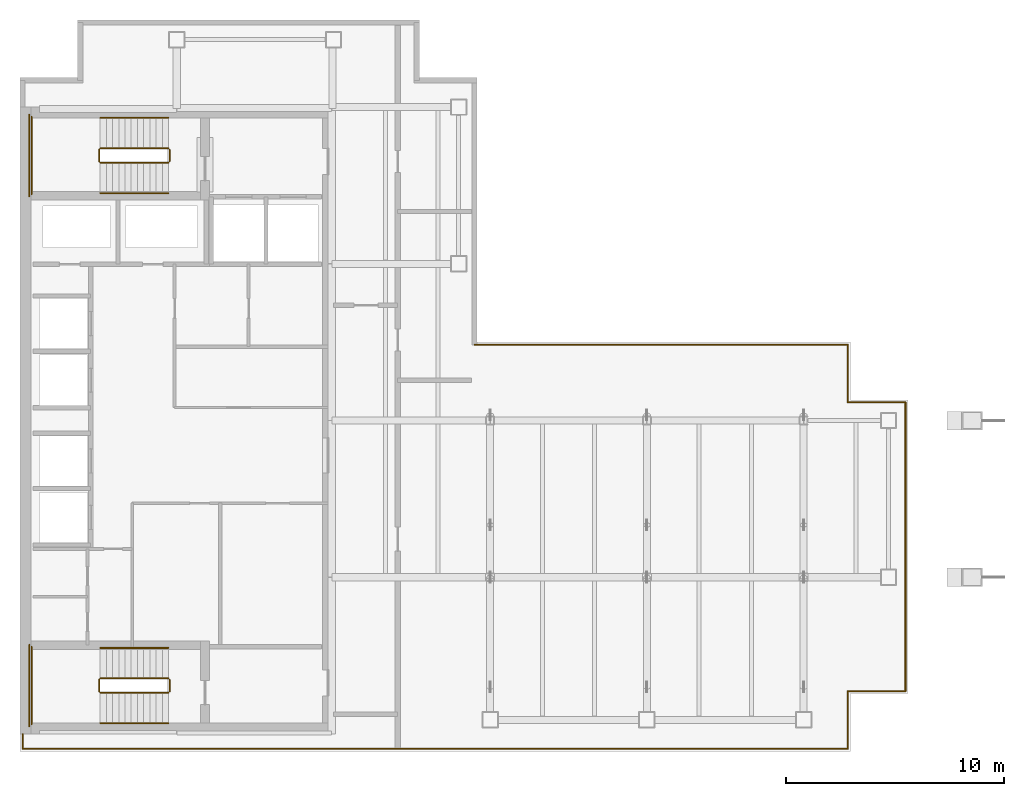
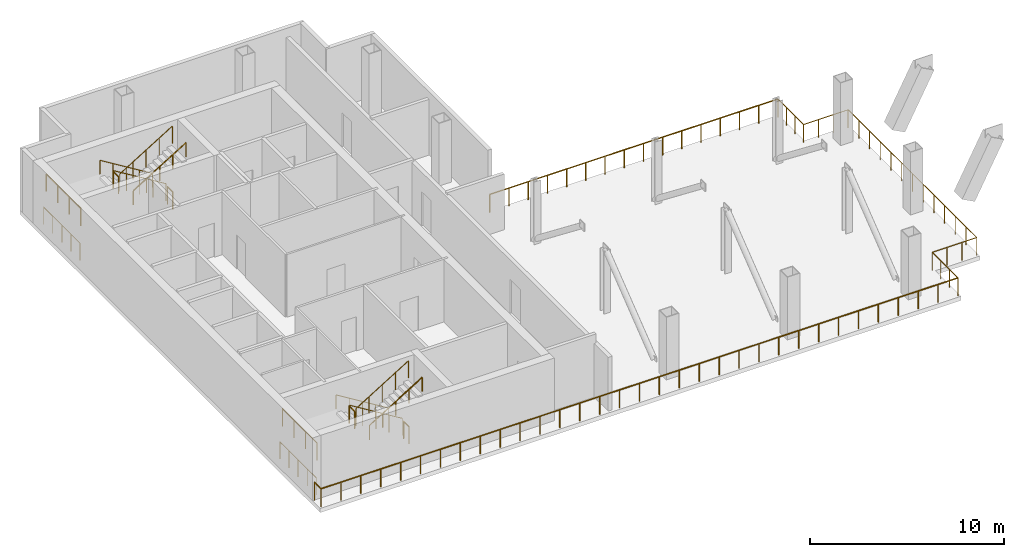
# One storey, part 5 of 5: 24 railings.
"""IFC4 building model written with IfcOpenShell, lengths in metres."""

from ifc_helpers import new_model, si_unit, direction, frame, origin, origin_2d, place, context, subcontext, project, spatial, circle, extrude, material, type_object, element, save


model = new_model("IFC4")

# Units and contexts
model_context = context("Model", 3, precision=1e-05, world=origin(), true_north=direction((0.0, 1.0)))
body_context = subcontext(model_context, "Body", "Model", "MODEL_VIEW")
ifc_project = project(units=[si_unit("LENGTHUNIT", "METRE"), si_unit("AREAUNIT", "SQUARE_METRE"), si_unit("VOLUMEUNIT", "CUBIC_METRE"), si_unit("PLANEANGLEUNIT", "RADIAN"), si_unit("MASSUNIT", "GRAM", prefix="KILO")], contexts=[model_context])

# Site, building, storey
site_placement = place(None, origin())
site = spatial("IfcSite", under=ifc_project, at=site_placement, CompositionType="ELEMENT")
building_placement = place(site_placement, origin())
building = spatial("IfcBuilding", under=site, at=building_placement, Name="Cobrela Telecom Tower", CompositionType="ELEMENT")
storey_placement = place(building_placement, frame((0.0, 0.0, 236.949951171875)))
storey = spatial("IfcBuildingStorey", under=building, at=storey_placement, Name="L61", CompositionType="ELEMENT", Elevation=236.949951171875)

# Railings
ifc_material_1 = material(Name="Anodized Bronze Aluminium 6063-T6", Category="aluminium")
railing_type_1 = type_object("IfcRailingType", Name="RAIL-BAL-1150", PredefinedType="BALUSTRADE", material=ifc_material_1)
railing_1_placement = place(storey_placement, frame((0.1201171875, 6.52001953125, 0.0)))
element("IfcRailing", 1, at=railing_1_placement, inside=storey, type_object=railing_type_1, Name="L61 Wind Turbine Slot Perimeter Balustrade 01", PredefinedType="BALUSTRADE", context=body_context, shape_type="SweptSolid", body=[
    extrude(circle(Radius=0.02392578125, at=origin_2d()), frame((0.0, 0.0, 1.1259765625), z_axis=(0.0, 1.0, 0.0), x_axis=(-1.0, 0.0, 0.0)), (0.0, 0.0, 1.0), 0.679931640625),
    extrude(circle(Radius=0.02099609375, at=origin_2d()), origin(), (0.0, 0.0, 1.0), 1.101806640625),
    extrude(circle(Radius=0.02099609375, at=origin_2d()), frame((0.0, 0.679931640625, 0.0)), (0.0, 0.0, 1.0), 1.101806640625),
])
railing_2_placement = place(storey_placement, frame((20.8798828125, 25.080078125, 0.0)))
element("IfcRailing", 2, at=railing_2_placement, inside=storey, type_object=railing_type_1, Name="L61 Wind Turbine Slot Perimeter Balustrade 09", PredefinedType="BALUSTRADE", context=body_context, shape_type="SweptSolid", body=[
    extrude(circle(Radius=0.02392578125, at=origin_2d()), frame((0.0, 0.0, 1.1259765625), z_axis=(1.0, 0.0, 0.0), x_axis=(0.0, 1.0, 0.0)), (0.0, 0.0, 1.0), 17.150146484375),
    extrude(circle(Radius=0.02099609375, at=origin_2d()), origin(), (0.0, 0.0, 1.0), 1.101806640625),
    extrude(circle(Radius=0.02099609375, at=origin_2d()), frame((1.143310546875, 0.0, 0.0)), (0.0, 0.0, 1.0), 1.101806640625),
    extrude(circle(Radius=0.02099609375, at=origin_2d()), frame((2.28662109375, 0.0, 0.0)), (0.0, 0.0, 1.0), 1.101806640625),
    extrude(circle(Radius=0.02099609375, at=origin_2d()), frame((3.429931640625, 0.0, 0.0)), (0.0, 0.0, 1.0), 1.101806640625),
    extrude(circle(Radius=0.02099609375, at=origin_2d()), frame((4.573486328125, 0.0, 0.0)), (0.0, 0.0, 1.0), 1.101806640625),
    extrude(circle(Radius=0.02099609375, at=origin_2d()), frame((5.716796875, 0.0, 0.0)), (0.0, 0.0, 1.0), 1.101806640625),
    extrude(circle(Radius=0.02099609375, at=origin_2d()), frame((6.860107421875, 0.0, 0.0)), (0.0, 0.0, 1.0), 1.101806640625),
    extrude(circle(Radius=0.02099609375, at=origin_2d()), frame((8.00341796875, 0.0, 0.0)), (0.0, 0.0, 1.0), 1.101806640625),
    extrude(circle(Radius=0.02099609375, at=origin_2d()), frame((9.146728515625, 0.0, 0.0)), (0.0, 0.0, 1.0), 1.101806640625),
    extrude(circle(Radius=0.02099609375, at=origin_2d()), frame((10.2900390625, 0.0, 0.0)), (0.0, 0.0, 1.0), 1.101806640625),
    extrude(circle(Radius=0.02099609375, at=origin_2d()), frame((11.433349609375, 0.0, 0.0)), (0.0, 0.0, 1.0), 1.101806640625),
    extrude(circle(Radius=0.02099609375, at=origin_2d()), frame((12.57666015625, 0.0, 0.0)), (0.0, 0.0, 1.0), 1.101806640625),
    extrude(circle(Radius=0.02099609375, at=origin_2d()), frame((13.72021484375, 0.0, 0.0)), (0.0, 0.0, 1.0), 1.101806640625),
    extrude(circle(Radius=0.02099609375, at=origin_2d()), frame((14.863525390625, 0.0, 0.0)), (0.0, 0.0, 1.0), 1.101806640625),
    extrude(circle(Radius=0.02099609375, at=origin_2d()), frame((16.0068359375, 0.0, 0.0)), (0.0, 0.0, 1.0), 1.101806640625),
    extrude(circle(Radius=0.02099609375, at=origin_2d()), frame((17.150146484375, 0.0, 0.0)), (0.0, 0.0, 1.0), 1.101806640625),
])
railing_3_placement = place(storey_placement, frame((38.030029296875, 25.080078125, 0.0)))
element("IfcRailing", 3, at=railing_3_placement, inside=storey, type_object=railing_type_1, Name="L61 Wind Turbine Slot Perimeter Balustrade 10", PredefinedType="BALUSTRADE", context=body_context, shape_type="SweptSolid", body=[
    extrude(circle(Radius=0.02392578125, at=origin_2d()), frame((0.0, 0.0, 1.1259765625), z_axis=(0.0, -1.0, 0.0), x_axis=(1.0, 0.0, 0.0)), (0.0, 0.0, 1.0), 2.650146484375),
    extrude(circle(Radius=0.02099609375, at=origin_2d()), origin(), (0.0, 0.0, 1.0), 1.101806640625),
    extrude(circle(Radius=0.02099609375, at=origin_2d()), frame((0.0, -0.88330078125, 0.0)), (0.0, 0.0, 1.0), 1.101806640625),
    extrude(circle(Radius=0.02099609375, at=origin_2d()), frame((0.0, -1.766845703125, 0.0)), (0.0, 0.0, 1.0), 1.101806640625),
    extrude(circle(Radius=0.02099609375, at=origin_2d()), frame((0.0, -2.650146484375, 0.0)), (0.0, 0.0, 1.0), 1.101806640625),
])
railing_4_placement = place(storey_placement, frame((38.030029296875, 22.429931640625, 0.0)))
element("IfcRailing", 4, at=railing_4_placement, inside=storey, type_object=railing_type_1, Name="L61 Wind Turbine Slot Perimeter Balustrade 11", PredefinedType="BALUSTRADE", context=body_context, shape_type="SweptSolid", body=[
    extrude(circle(Radius=0.02392578125, at=origin_2d()), frame((0.0, 0.0, 1.1259765625), z_axis=(1.0, 0.0, 0.0), x_axis=(0.0, 1.0, 0.0)), (0.0, 0.0, 1.0), 2.64990234375),
    extrude(circle(Radius=0.02099609375, at=origin_2d()), origin(), (0.0, 0.0, 1.0), 1.101806640625),
    extrude(circle(Radius=0.02099609375, at=origin_2d()), frame((0.88330078125, 0.0, 0.0)), (0.0, 0.0, 1.0), 1.101806640625),
    extrude(circle(Radius=0.02099609375, at=origin_2d()), frame((1.7666015625, 0.0, 0.0)), (0.0, 0.0, 1.0), 1.101806640625),
    extrude(circle(Radius=0.02099609375, at=origin_2d()), frame((2.64990234375, 0.0, 0.0)), (0.0, 0.0, 1.0), 1.101806640625),
])
railing_5_placement = place(storey_placement, frame((40.679931640625, 22.429931640625, 0.0)))
element("IfcRailing", 5, at=railing_5_placement, inside=storey, type_object=railing_type_1, Name="L61 Wind Turbine Slot Perimeter Balustrade 12", PredefinedType="BALUSTRADE", context=body_context, shape_type="SweptSolid", body=[
    extrude(circle(Radius=0.02392578125, at=origin_2d()), frame((0.0, 0.0, 1.1259765625), z_axis=(0.0, -1.0, 0.0), x_axis=(1.0, 0.0, 0.0)), (0.0, 0.0, 1.0), 13.260009765625),
    extrude(circle(Radius=0.02099609375, at=origin_2d()), origin(), (0.0, 0.0, 1.0), 1.101806640625),
    extrude(circle(Radius=0.02099609375, at=origin_2d()), frame((0.0, -1.10498046875, 0.0)), (0.0, 0.0, 1.0), 1.101806640625),
    extrude(circle(Radius=0.02099609375, at=origin_2d()), frame((0.0, -2.2099609375, 0.0)), (0.0, 0.0, 1.0), 1.101806640625),
    extrude(circle(Radius=0.02099609375, at=origin_2d()), frame((0.0, -3.31494140625, 0.0)), (0.0, 0.0, 1.0), 1.101806640625),
    extrude(circle(Radius=0.02099609375, at=origin_2d()), frame((0.0, -4.419921875, 0.0)), (0.0, 0.0, 1.0), 1.101806640625),
    extrude(circle(Radius=0.02099609375, at=origin_2d()), frame((0.0, -5.52490234375, 0.0)), (0.0, 0.0, 1.0), 1.101806640625),
    extrude(circle(Radius=0.02099609375, at=origin_2d()), frame((0.0, -6.6298828125, 0.0)), (0.0, 0.0, 1.0), 1.101806640625),
    extrude(circle(Radius=0.02099609375, at=origin_2d()), frame((0.0, -7.735107421875, 0.0)), (0.0, 0.0, 1.0), 1.101806640625),
    extrude(circle(Radius=0.02099609375, at=origin_2d()), frame((0.0, -8.840087890625, 0.0)), (0.0, 0.0, 1.0), 1.101806640625),
    extrude(circle(Radius=0.02099609375, at=origin_2d()), frame((0.0, -9.945068359375, 0.0)), (0.0, 0.0, 1.0), 1.101806640625),
    extrude(circle(Radius=0.02099609375, at=origin_2d()), frame((0.0, -11.050048828125, 0.0)), (0.0, 0.0, 1.0), 1.101806640625),
    extrude(circle(Radius=0.02099609375, at=origin_2d()), frame((0.0, -12.155029296875, 0.0)), (0.0, 0.0, 1.0), 1.101806640625),
    extrude(circle(Radius=0.02099609375, at=origin_2d()), frame((0.0, -13.260009765625, 0.0)), (0.0, 0.0, 1.0), 1.101806640625),
])
railing_6_placement = place(storey_placement, frame((40.679931640625, 9.169921875, 0.0)))
element("IfcRailing", 6, at=railing_6_placement, inside=storey, type_object=railing_type_1, Name="L61 Wind Turbine Slot Perimeter Balustrade 13", PredefinedType="BALUSTRADE", context=body_context, shape_type="SweptSolid", body=[
    extrude(circle(Radius=0.02392578125, at=origin_2d()), frame((0.0, 0.0, 1.1259765625), z_axis=(-1.0, 0.0, 0.0), x_axis=(0.0, -1.0, 0.0)), (0.0, 0.0, 1.0), 2.64990234375),
    extrude(circle(Radius=0.02099609375, at=origin_2d()), origin(), (0.0, 0.0, 1.0), 1.101806640625),
    extrude(circle(Radius=0.02099609375, at=origin_2d()), frame((-0.88330078125, 0.0, 0.0)), (0.0, 0.0, 1.0), 1.101806640625),
    extrude(circle(Radius=0.02099609375, at=origin_2d()), frame((-1.7666015625, 0.0, 0.0)), (0.0, 0.0, 1.0), 1.101806640625),
    extrude(circle(Radius=0.02099609375, at=origin_2d()), frame((-2.64990234375, 0.0, 0.0)), (0.0, 0.0, 1.0), 1.101806640625),
])
railing_7_placement = place(storey_placement, frame((38.030029296875, 9.169921875, 0.0)))
element("IfcRailing", 7, at=railing_7_placement, inside=storey, type_object=railing_type_1, Name="L61 Wind Turbine Slot Perimeter Balustrade 14", PredefinedType="BALUSTRADE", context=body_context, shape_type="SweptSolid", body=[
    extrude(circle(Radius=0.02392578125, at=origin_2d()), frame((0.0, 0.0, 1.1259765625), z_axis=(0.0, -1.0, 0.0), x_axis=(1.0, 0.0, 0.0)), (0.0, 0.0, 1.0), 2.64990234375),
    extrude(circle(Radius=0.02099609375, at=origin_2d()), origin(), (0.0, 0.0, 1.0), 1.101806640625),
    extrude(circle(Radius=0.02099609375, at=origin_2d()), frame((0.0, -0.88330078125, 0.0)), (0.0, 0.0, 1.0), 1.101806640625),
    extrude(circle(Radius=0.02099609375, at=origin_2d()), frame((0.0, -1.7666015625, 0.0)), (0.0, 0.0, 1.0), 1.101806640625),
    extrude(circle(Radius=0.02099609375, at=origin_2d()), frame((0.0, -2.64990234375, 0.0)), (0.0, 0.0, 1.0), 1.101806640625),
])
railing_8_placement = place(storey_placement, frame((38.030029296875, 6.52001953125, 0.0)))
element("IfcRailing", 8, at=railing_8_placement, inside=storey, type_object=railing_type_1, Name="L61 Wind Turbine Slot Perimeter Balustrade 15", PredefinedType="BALUSTRADE", context=body_context, shape_type="SweptSolid", body=[
    extrude(circle(Radius=0.02392578125, at=origin_2d()), frame((0.0, 0.0, 1.1259765625), z_axis=(-1.0, 0.0, 0.0), x_axis=(0.0, -1.0, 0.0)), (0.0, 0.0, 1.0), 37.909912109375),
    extrude(circle(Radius=0.02099609375, at=origin_2d()), origin(), (0.0, 0.0, 1.0), 1.101806640625),
    extrude(circle(Radius=0.02099609375, at=origin_2d()), frame((-1.1845703125, 0.0, 0.0)), (0.0, 0.0, 1.0), 1.101806640625),
    extrude(circle(Radius=0.02099609375, at=origin_2d()), frame((-2.369384765625, 0.0, 0.0)), (0.0, 0.0, 1.0), 1.101806640625),
    extrude(circle(Radius=0.02099609375, at=origin_2d()), frame((-3.553955078125, 0.0, 0.0)), (0.0, 0.0, 1.0), 1.101806640625),
    extrude(circle(Radius=0.02099609375, at=origin_2d()), frame((-4.73876953125, 0.0, 0.0)), (0.0, 0.0, 1.0), 1.101806640625),
    extrude(circle(Radius=0.02099609375, at=origin_2d()), frame((-5.92333984375, 0.0, 0.0)), (0.0, 0.0, 1.0), 1.101806640625),
    extrude(circle(Radius=0.02099609375, at=origin_2d()), frame((-7.108154296875, 0.0, 0.0)), (0.0, 0.0, 1.0), 1.101806640625),
    extrude(circle(Radius=0.02099609375, at=origin_2d()), frame((-8.292724609375, 0.0, 0.0)), (0.0, 0.0, 1.0), 1.101806640625),
    extrude(circle(Radius=0.02099609375, at=origin_2d()), frame((-9.4775390625, 0.0, 0.0)), (0.0, 0.0, 1.0), 1.101806640625),
    extrude(circle(Radius=0.02099609375, at=origin_2d()), frame((-10.662109375, 0.0, 0.0)), (0.0, 0.0, 1.0), 1.101806640625),
    extrude(circle(Radius=0.02099609375, at=origin_2d()), frame((-11.846923828125, 0.0, 0.0)), (0.0, 0.0, 1.0), 1.101806640625),
    extrude(circle(Radius=0.02099609375, at=origin_2d()), frame((-13.031494140625, 0.0, 0.0)), (0.0, 0.0, 1.0), 1.101806640625),
    extrude(circle(Radius=0.02099609375, at=origin_2d()), frame((-14.21630859375, 0.0, 0.0)), (0.0, 0.0, 1.0), 1.101806640625),
    extrude(circle(Radius=0.02099609375, at=origin_2d()), frame((-15.40087890625, 0.0, 0.0)), (0.0, 0.0, 1.0), 1.101806640625),
    extrude(circle(Radius=0.02099609375, at=origin_2d()), frame((-16.585693359375, 0.0, 0.0)), (0.0, 0.0, 1.0), 1.101806640625),
    extrude(circle(Radius=0.02099609375, at=origin_2d()), frame((-17.770263671875, 0.0, 0.0)), (0.0, 0.0, 1.0), 1.101806640625),
    extrude(circle(Radius=0.02099609375, at=origin_2d()), frame((-18.955078125, 0.0, 0.0)), (0.0, 0.0, 1.0), 1.101806640625),
    extrude(circle(Radius=0.02099609375, at=origin_2d()), frame((-20.1396484375, 0.0, 0.0)), (0.0, 0.0, 1.0), 1.101806640625),
    extrude(circle(Radius=0.02099609375, at=origin_2d()), frame((-21.32421875, 0.0, 0.0)), (0.0, 0.0, 1.0), 1.101806640625),
    extrude(circle(Radius=0.02099609375, at=origin_2d()), frame((-22.509033203125, 0.0, 0.0)), (0.0, 0.0, 1.0), 1.101806640625),
    extrude(circle(Radius=0.02099609375, at=origin_2d()), frame((-23.693603515625, 0.0, 0.0)), (0.0, 0.0, 1.0), 1.101806640625),
    extrude(circle(Radius=0.02099609375, at=origin_2d()), frame((-24.87841796875, 0.0, 0.0)), (0.0, 0.0, 1.0), 1.101806640625),
    extrude(circle(Radius=0.02099609375, at=origin_2d()), frame((-26.06298828125, 0.0, 0.0)), (0.0, 0.0, 1.0), 1.101806640625),
    extrude(circle(Radius=0.02099609375, at=origin_2d()), frame((-27.247802734375, 0.0, 0.0)), (0.0, 0.0, 1.0), 1.101806640625),
    extrude(circle(Radius=0.02099609375, at=origin_2d()), frame((-28.432373046875, 0.0, 0.0)), (0.0, 0.0, 1.0), 1.101806640625),
    extrude(circle(Radius=0.02099609375, at=origin_2d()), frame((-29.6171875, 0.0, 0.0)), (0.0, 0.0, 1.0), 1.101806640625),
    extrude(circle(Radius=0.02099609375, at=origin_2d()), frame((-30.8017578125, 0.0, 0.0)), (0.0, 0.0, 1.0), 1.101806640625),
    extrude(circle(Radius=0.02099609375, at=origin_2d()), frame((-31.986572265625, 0.0, 0.0)), (0.0, 0.0, 1.0), 1.101806640625),
    extrude(circle(Radius=0.02099609375, at=origin_2d()), frame((-33.171142578125, 0.0, 0.0)), (0.0, 0.0, 1.0), 1.101806640625),
    extrude(circle(Radius=0.02099609375, at=origin_2d()), frame((-34.35595703125, 0.0, 0.0)), (0.0, 0.0, 1.0), 1.101806640625),
    extrude(circle(Radius=0.02099609375, at=origin_2d()), frame((-35.54052734375, 0.0, 0.0)), (0.0, 0.0, 1.0), 1.101806640625),
    extrude(circle(Radius=0.02099609375, at=origin_2d()), frame((-36.725341796875, 0.0, 0.0)), (0.0, 0.0, 1.0), 1.101806640625),
    extrude(circle(Radius=0.02099609375, at=origin_2d()), frame((-37.909912109375, 0.0, 0.0)), (0.0, 0.0, 1.0), 1.101806640625),
])
ifc_material_2 = material(Name="Steel ASTM A36", Category="steel")
railing_type_2 = type_object("IfcRailingType", Name="RAIL-GUARD-1100", PredefinedType="GUARDRAIL", material=ifc_material_2)
railing_9_placement = place(storey_placement, frame((6.820068359375, 34.10009765625, 0.175048828125)))
element("IfcRailing", 9, at=railing_9_placement, inside=storey, type_object=railing_type_2, Name="L61 ST1 stair guard 1", PredefinedType="GUARDRAIL", context=body_context, shape_type="SweptSolid", body=[
    extrude(circle(Radius=0.02392578125, at=origin_2d()), frame((0.0, 0.0, 1.076171875), z_axis=(-0.852166034122, 0.0, 0.523271488128), x_axis=(0.0, -1.0, 0.0)), (0.0, 0.0, 1.0), 3.678955078125),
    extrude(circle(Radius=0.02099609375, at=origin_2d()), origin(), (0.0, 0.0, 1.0), 1.052001953125),
    extrude(circle(Radius=0.02099609375, at=origin_2d()), frame((-0.78369140625, 0.0, 0.481201171875)), (0.0, 0.0, 1.0), 1.052001953125),
    extrude(circle(Radius=0.02099609375, at=origin_2d()), frame((-1.5673828125, 0.0, 0.96240234375)), (0.0, 0.0, 1.0), 1.052001953125),
    extrude(circle(Radius=0.02099609375, at=origin_2d()), frame((-2.351318359375, 0.0, 1.44384765625)), (0.0, 0.0, 1.0), 1.052001953125),
    extrude(circle(Radius=0.02099609375, at=origin_2d()), frame((-3.135009765625, 0.0, 1.925048828125)), (0.0, 0.0, 1.0), 1.052001953125),
])
railing_10_placement = place(storey_placement, frame((3.635009765625, 34.050048828125, 2.10009765625)))
element("IfcRailing", 10, at=railing_10_placement, inside=storey, type_object=railing_type_2, Name="L61 ST1 stair guard 2", PredefinedType="GUARDRAIL", context=body_context, shape_type="SweptSolid", body=[
    extrude(circle(Radius=0.02392578125, at=origin_2d()), frame((0.0, 0.0, 1.076171875), z_axis=(0.0, -1.0, 0.0), x_axis=(1.0, 0.0, 0.0)), (0.0, 0.0, 1.0), 0.550048828125),
    extrude(circle(Radius=0.02099609375, at=origin_2d()), origin(), (0.0, 0.0, 1.0), 1.052001953125),
    extrude(circle(Radius=0.02099609375, at=origin_2d()), frame((0.0, -0.550048828125, 0.0)), (0.0, 0.0, 1.0), 1.052001953125),
])
railing_11_placement = place(storey_placement, frame((0.530029296875, 35.550048828125, 2.10009765625)))
element("IfcRailing", 11, at=railing_11_placement, inside=storey, type_object=railing_type_2, Name="L61 ST1 stair guard 3", PredefinedType="GUARDRAIL", context=body_context, shape_type="SweptSolid", body=[
    extrude(circle(Radius=0.02392578125, at=origin_2d()), frame((0.0, 0.0, 1.076171875), z_axis=(0.0, -1.0, 0.0), x_axis=(1.0, 0.0, 0.0)), (0.0, 0.0, 1.0), 3.550048828125),
    extrude(circle(Radius=0.02099609375, at=origin_2d()), origin(), (0.0, 0.0, 1.0), 1.052001953125),
    extrude(circle(Radius=0.02099609375, at=origin_2d()), frame((0.0, -1.183349609375, 0.0)), (0.0, 0.0, 1.0), 1.052001953125),
    extrude(circle(Radius=0.02099609375, at=origin_2d()), frame((0.0, -2.36669921875, 0.0)), (0.0, 0.0, 1.0), 1.052001953125),
    extrude(circle(Radius=0.02099609375, at=origin_2d()), frame((0.0, -3.550048828125, 0.0)), (0.0, 0.0, 1.0), 1.052001953125),
])
railing_12_placement = place(storey_placement, frame((3.68505859375, 33.449951171875, 2.275146484375)))
element("IfcRailing", 12, at=railing_12_placement, inside=storey, type_object=railing_type_2, Name="L61 ST1 stair guard 4", PredefinedType="GUARDRAIL", context=body_context, shape_type="SweptSolid", body=[
    extrude(circle(Radius=0.02392578125, at=origin_2d()), frame((0.0, 0.0, 1.076171875), z_axis=(0.852195625947, 0.0, 0.523223293744), x_axis=(0.0, 1.0, 0.0)), (0.0, 0.0, 1.0), 3.6787109375),
    extrude(circle(Radius=0.02099609375, at=origin_2d()), origin(), (0.0, 0.0, 1.0), 1.052001953125),
    extrude(circle(Radius=0.02099609375, at=origin_2d()), frame((0.78369140625, 0.0, 0.481201171875)), (0.0, 0.0, 1.0), 1.052001953125),
    extrude(circle(Radius=0.02099609375, at=origin_2d()), frame((1.5673828125, 0.0, 0.96240234375)), (0.0, 0.0, 1.0), 1.052001953125),
    extrude(circle(Radius=0.02099609375, at=origin_2d()), frame((2.351318359375, 0.0, 1.443603515625)), (0.0, 0.0, 1.0), 1.052001953125),
    extrude(circle(Radius=0.02099609375, at=origin_2d()), frame((3.135009765625, 0.0, 1.9248046875)), (0.0, 0.0, 1.0), 1.052001953125),
])
railing_13_placement = place(storey_placement, frame((6.8701171875, 34.050048828125, 0.0)))
element("IfcRailing", 13, at=railing_13_placement, inside=storey, type_object=railing_type_2, Name="L61 ST1 stair guard 5", PredefinedType="GUARDRAIL", context=body_context, shape_type="SweptSolid", body=[
    extrude(circle(Radius=0.02392578125, at=origin_2d()), frame((0.0, 0.0, 1.076171875), z_axis=(0.0, -1.0, 0.0), x_axis=(1.0, 0.0, 0.0)), (0.0, 0.0, 1.0), 0.550048828125),
    extrude(circle(Radius=0.02099609375, at=origin_2d()), origin(), (0.0, 0.0, 1.0), 1.052001953125),
    extrude(circle(Radius=0.02099609375, at=origin_2d()), frame((0.0, -0.550048828125, 0.0)), (0.0, 0.0, 1.0), 1.052001953125),
])
railing_14_placement = place(storey_placement, frame((0.429931640625, 35.64990234375, 0.0)))
element("IfcRailing", 14, at=railing_14_placement, inside=storey, type_object=railing_type_2, Name="L61 ST1 stair guard 6", PredefinedType="GUARDRAIL", context=body_context, shape_type="SweptSolid", body=[
    extrude(circle(Radius=0.02392578125, at=origin_2d()), frame((0.0, 0.0, 1.076171875), z_axis=(0.0, -1.0, 0.0), x_axis=(1.0, 0.0, 0.0)), (0.0, 0.0, 1.0), 3.75),
    extrude(circle(Radius=0.02099609375, at=origin_2d()), origin(), (0.0, 0.0, 1.0), 1.052001953125),
    extrude(circle(Radius=0.02099609375, at=origin_2d()), frame((0.0, -0.9375, 0.0)), (0.0, 0.0, 1.0), 1.052001953125),
    extrude(circle(Radius=0.02099609375, at=origin_2d()), frame((0.0, -1.875, 0.0)), (0.0, 0.0, 1.0), 1.052001953125),
    extrude(circle(Radius=0.02099609375, at=origin_2d()), frame((0.0, -2.8125, 0.0)), (0.0, 0.0, 1.0), 1.052001953125),
    extrude(circle(Radius=0.02099609375, at=origin_2d()), frame((0.0, -3.75, 0.0)), (0.0, 0.0, 1.0), 1.052001953125),
])
railing_15_placement = place(storey_placement, frame((6.820068359375, 9.75, 0.175048828125)))
element("IfcRailing", 15, at=railing_15_placement, inside=storey, type_object=railing_type_2, Name="L61 ST2 stair guard 1", PredefinedType="GUARDRAIL", context=body_context, shape_type="SweptSolid", body=[
    extrude(circle(Radius=0.02392578125, at=origin_2d()), frame((0.0, 0.0, 1.076171875), z_axis=(-0.852166034122, 0.0, 0.523271488128), x_axis=(0.0, -1.0, 0.0)), (0.0, 0.0, 1.0), 3.678955078125),
    extrude(circle(Radius=0.02099609375, at=origin_2d()), origin(), (0.0, 0.0, 1.0), 1.052001953125),
    extrude(circle(Radius=0.02099609375, at=origin_2d()), frame((-0.78369140625, 0.0, 0.481201171875)), (0.0, 0.0, 1.0), 1.052001953125),
    extrude(circle(Radius=0.02099609375, at=origin_2d()), frame((-1.5673828125, 0.0, 0.96240234375)), (0.0, 0.0, 1.0), 1.052001953125),
    extrude(circle(Radius=0.02099609375, at=origin_2d()), frame((-2.351318359375, 0.0, 1.44384765625)), (0.0, 0.0, 1.0), 1.052001953125),
    extrude(circle(Radius=0.02099609375, at=origin_2d()), frame((-3.135009765625, 0.0, 1.925048828125)), (0.0, 0.0, 1.0), 1.052001953125),
])
railing_16_placement = place(storey_placement, frame((3.635009765625, 9.699951171875, 2.10009765625)))
element("IfcRailing", 16, at=railing_16_placement, inside=storey, type_object=railing_type_2, Name="L61 ST2 stair guard 2", PredefinedType="GUARDRAIL", context=body_context, shape_type="SweptSolid", body=[
    extrude(circle(Radius=0.02392578125, at=origin_2d()), frame((0.0, 0.0, 1.076171875), z_axis=(0.0, -1.0, 0.0), x_axis=(1.0, 0.0, 0.0)), (0.0, 0.0, 1.0), 0.550048828125),
    extrude(circle(Radius=0.02099609375, at=origin_2d()), origin(), (0.0, 0.0, 1.0), 1.052001953125),
    extrude(circle(Radius=0.02099609375, at=origin_2d()), frame((0.0, -0.550048828125, 0.0)), (0.0, 0.0, 1.0), 1.052001953125),
])
railing_17_placement = place(storey_placement, frame((0.530029296875, 11.199951171875, 2.10009765625)))
element("IfcRailing", 17, at=railing_17_placement, inside=storey, type_object=railing_type_2, Name="L61 ST2 stair guard 3", PredefinedType="GUARDRAIL", context=body_context, shape_type="SweptSolid", body=[
    extrude(circle(Radius=0.02392578125, at=origin_2d()), frame((0.0, 0.0, 1.076171875), z_axis=(0.0, -1.0, 0.0), x_axis=(1.0, 0.0, 0.0)), (0.0, 0.0, 1.0), 3.550048828125),
    extrude(circle(Radius=0.02099609375, at=origin_2d()), origin(), (0.0, 0.0, 1.0), 1.052001953125),
    extrude(circle(Radius=0.02099609375, at=origin_2d()), frame((0.0, -1.183349609375, 0.0)), (0.0, 0.0, 1.0), 1.052001953125),
    extrude(circle(Radius=0.02099609375, at=origin_2d()), frame((0.0, -2.36669921875, 0.0)), (0.0, 0.0, 1.0), 1.052001953125),
    extrude(circle(Radius=0.02099609375, at=origin_2d()), frame((0.0, -3.550048828125, 0.0)), (0.0, 0.0, 1.0), 1.052001953125),
])
railing_18_placement = place(storey_placement, frame((3.68505859375, 9.10009765625, 2.275146484375)))
element("IfcRailing", 18, at=railing_18_placement, inside=storey, type_object=railing_type_2, Name="L61 ST2 stair guard 4", PredefinedType="GUARDRAIL", context=body_context, shape_type="SweptSolid", body=[
    extrude(circle(Radius=0.02392578125, at=origin_2d()), frame((0.0, 0.0, 1.076171875), z_axis=(0.852195625947, 0.0, 0.523223293744), x_axis=(0.0, 1.0, 0.0)), (0.0, 0.0, 1.0), 3.6787109375),
    extrude(circle(Radius=0.02099609375, at=origin_2d()), origin(), (0.0, 0.0, 1.0), 1.052001953125),
    extrude(circle(Radius=0.02099609375, at=origin_2d()), frame((0.78369140625, 0.0, 0.481201171875)), (0.0, 0.0, 1.0), 1.052001953125),
    extrude(circle(Radius=0.02099609375, at=origin_2d()), frame((1.5673828125, 0.0, 0.96240234375)), (0.0, 0.0, 1.0), 1.052001953125),
    extrude(circle(Radius=0.02099609375, at=origin_2d()), frame((2.351318359375, 0.0, 1.443603515625)), (0.0, 0.0, 1.0), 1.052001953125),
    extrude(circle(Radius=0.02099609375, at=origin_2d()), frame((3.135009765625, 0.0, 1.9248046875)), (0.0, 0.0, 1.0), 1.052001953125),
])
railing_19_placement = place(storey_placement, frame((6.8701171875, 9.699951171875, 0.0)))
element("IfcRailing", 19, at=railing_19_placement, inside=storey, type_object=railing_type_2, Name="L61 ST2 stair guard 5", PredefinedType="GUARDRAIL", context=body_context, shape_type="SweptSolid", body=[
    extrude(circle(Radius=0.02392578125, at=origin_2d()), frame((0.0, 0.0, 1.076171875), z_axis=(0.0, -1.0, 0.0), x_axis=(1.0, 0.0, 0.0)), (0.0, 0.0, 1.0), 0.550048828125),
    extrude(circle(Radius=0.02099609375, at=origin_2d()), origin(), (0.0, 0.0, 1.0), 1.052001953125),
    extrude(circle(Radius=0.02099609375, at=origin_2d()), frame((0.0, -0.550048828125, 0.0)), (0.0, 0.0, 1.0), 1.052001953125),
])
railing_20_placement = place(storey_placement, frame((0.429931640625, 11.300048828125, 0.0)))
element("IfcRailing", 20, at=railing_20_placement, inside=storey, type_object=railing_type_2, Name="L61 ST2 stair guard 6", PredefinedType="GUARDRAIL", context=body_context, shape_type="SweptSolid", body=[
    extrude(circle(Radius=0.02392578125, at=origin_2d()), frame((0.0, 0.0, 1.076171875), z_axis=(0.0, -1.0, 0.0), x_axis=(1.0, 0.0, 0.0)), (0.0, 0.0, 1.0), 3.75),
    extrude(circle(Radius=0.02099609375, at=origin_2d()), origin(), (0.0, 0.0, 1.0), 1.052001953125),
    extrude(circle(Radius=0.02099609375, at=origin_2d()), frame((0.0, -0.9375, 0.0)), (0.0, 0.0, 1.0), 1.052001953125),
    extrude(circle(Radius=0.02099609375, at=origin_2d()), frame((0.0, -1.875, 0.0)), (0.0, 0.0, 1.0), 1.052001953125),
    extrude(circle(Radius=0.02099609375, at=origin_2d()), frame((0.0, -2.8125, 0.0)), (0.0, 0.0, 1.0), 1.052001953125),
    extrude(circle(Radius=0.02099609375, at=origin_2d()), frame((0.0, -3.75, 0.0)), (0.0, 0.0, 1.0), 1.052001953125),
])
railing_type_3 = type_object("IfcRailingType", Name="RAIL-HAND-920", PredefinedType="HANDRAIL", material=ifc_material_2)
railing_21_placement = place(storey_placement, frame((6.820068359375, 35.5, 0.175048828125)))
element("IfcRailing", 21, at=railing_21_placement, inside=storey, type_object=railing_type_3, Name="L61 ST1 stair handrail 1", PredefinedType="HANDRAIL", context=body_context, shape_type="SweptSolid", body=[
    extrude(circle(Radius=0.02392578125, at=origin_2d()), frame((0.0, 0.0, 0.8759765625), z_axis=(-0.852166034122, 0.0, 0.523271488128), x_axis=(0.0, -1.0, 0.0)), (0.0, 0.0, 1.0), 3.678955078125),
    extrude(circle(Radius=0.02099609375, at=origin_2d()), origin(), (0.0, 0.0, 1.0), 0.851806640625),
    extrude(circle(Radius=0.02099609375, at=origin_2d()), frame((-0.78369140625, 0.0, 0.481201171875)), (0.0, 0.0, 1.0), 0.851806640625),
    extrude(circle(Radius=0.02099609375, at=origin_2d()), frame((-1.5673828125, 0.0, 0.96240234375)), (0.0, 0.0, 1.0), 0.851806640625),
    extrude(circle(Radius=0.02099609375, at=origin_2d()), frame((-2.351318359375, 0.0, 1.44384765625)), (0.0, 0.0, 1.0), 0.851806640625),
    extrude(circle(Radius=0.02099609375, at=origin_2d()), frame((-3.135009765625, 0.0, 1.925048828125)), (0.0, 0.0, 1.0), 0.851806640625),
])
railing_22_placement = place(storey_placement, frame((3.68505859375, 32.050048828125, 2.275146484375)))
element("IfcRailing", 22, at=railing_22_placement, inside=storey, type_object=railing_type_3, Name="L61 ST1 stair handrail 2", PredefinedType="HANDRAIL", context=body_context, shape_type="SweptSolid", body=[
    extrude(circle(Radius=0.02392578125, at=origin_2d()), frame((0.0, 0.0, 0.8759765625), z_axis=(0.852195625947, 0.0, 0.523223293744), x_axis=(0.0, 1.0, 0.0)), (0.0, 0.0, 1.0), 3.6787109375),
    extrude(circle(Radius=0.02099609375, at=origin_2d()), origin(), (0.0, 0.0, 1.0), 0.851806640625),
    extrude(circle(Radius=0.02099609375, at=origin_2d()), frame((0.78369140625, 0.0, 0.481201171875)), (0.0, 0.0, 1.0), 0.851806640625),
    extrude(circle(Radius=0.02099609375, at=origin_2d()), frame((1.5673828125, 0.0, 0.96240234375)), (0.0, 0.0, 1.0), 0.851806640625),
    extrude(circle(Radius=0.02099609375, at=origin_2d()), frame((2.351318359375, 0.0, 1.443603515625)), (0.0, 0.0, 1.0), 0.851806640625),
    extrude(circle(Radius=0.02099609375, at=origin_2d()), frame((3.135009765625, 0.0, 1.9248046875)), (0.0, 0.0, 1.0), 0.851806640625),
])
railing_23_placement = place(storey_placement, frame((6.820068359375, 11.14990234375, 0.175048828125)))
element("IfcRailing", 23, at=railing_23_placement, inside=storey, type_object=railing_type_3, Name="L61 ST2 stair handrail 1", PredefinedType="HANDRAIL", context=body_context, shape_type="SweptSolid", body=[
    extrude(circle(Radius=0.02392578125, at=origin_2d()), frame((0.0, 0.0, 0.8759765625), z_axis=(-0.852166034122, 0.0, 0.523271488128), x_axis=(0.0, -1.0, 0.0)), (0.0, 0.0, 1.0), 3.678955078125),
    extrude(circle(Radius=0.02099609375, at=origin_2d()), origin(), (0.0, 0.0, 1.0), 0.851806640625),
    extrude(circle(Radius=0.02099609375, at=origin_2d()), frame((-0.78369140625, 0.0, 0.481201171875)), (0.0, 0.0, 1.0), 0.851806640625),
    extrude(circle(Radius=0.02099609375, at=origin_2d()), frame((-1.5673828125, 0.0, 0.96240234375)), (0.0, 0.0, 1.0), 0.851806640625),
    extrude(circle(Radius=0.02099609375, at=origin_2d()), frame((-2.351318359375, 0.0, 1.44384765625)), (0.0, 0.0, 1.0), 0.851806640625),
    extrude(circle(Radius=0.02099609375, at=origin_2d()), frame((-3.135009765625, 0.0, 1.925048828125)), (0.0, 0.0, 1.0), 0.851806640625),
])
railing_24_placement = place(storey_placement, frame((3.68505859375, 7.699951171875, 2.275146484375)))
element("IfcRailing", 24, at=railing_24_placement, inside=storey, type_object=railing_type_3, Name="L61 ST2 stair handrail 2", PredefinedType="HANDRAIL", context=body_context, shape_type="SweptSolid", body=[
    extrude(circle(Radius=0.02392578125, at=origin_2d()), frame((0.0, 0.0, 0.8759765625), z_axis=(0.852195625947, 0.0, 0.523223293744), x_axis=(0.0, 1.0, 0.0)), (0.0, 0.0, 1.0), 3.6787109375),
    extrude(circle(Radius=0.02099609375, at=origin_2d()), origin(), (0.0, 0.0, 1.0), 0.851806640625),
    extrude(circle(Radius=0.02099609375, at=origin_2d()), frame((0.78369140625, 0.0, 0.481201171875)), (0.0, 0.0, 1.0), 0.851806640625),
    extrude(circle(Radius=0.02099609375, at=origin_2d()), frame((1.5673828125, 0.0, 0.96240234375)), (0.0, 0.0, 1.0), 0.851806640625),
    extrude(circle(Radius=0.02099609375, at=origin_2d()), frame((2.351318359375, 0.0, 1.443603515625)), (0.0, 0.0, 1.0), 0.851806640625),
    extrude(circle(Radius=0.02099609375, at=origin_2d()), frame((3.135009765625, 0.0, 1.9248046875)), (0.0, 0.0, 1.0), 0.851806640625),
])

save(model, "model.ifc")
